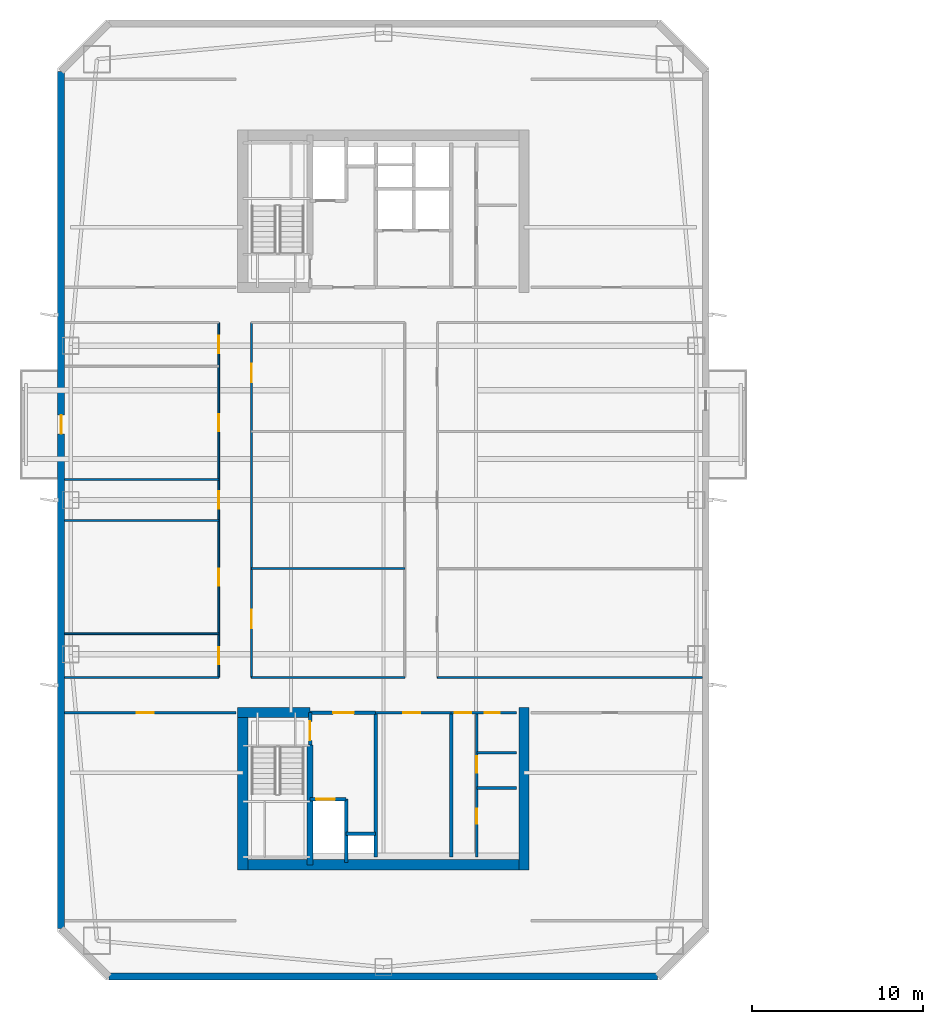
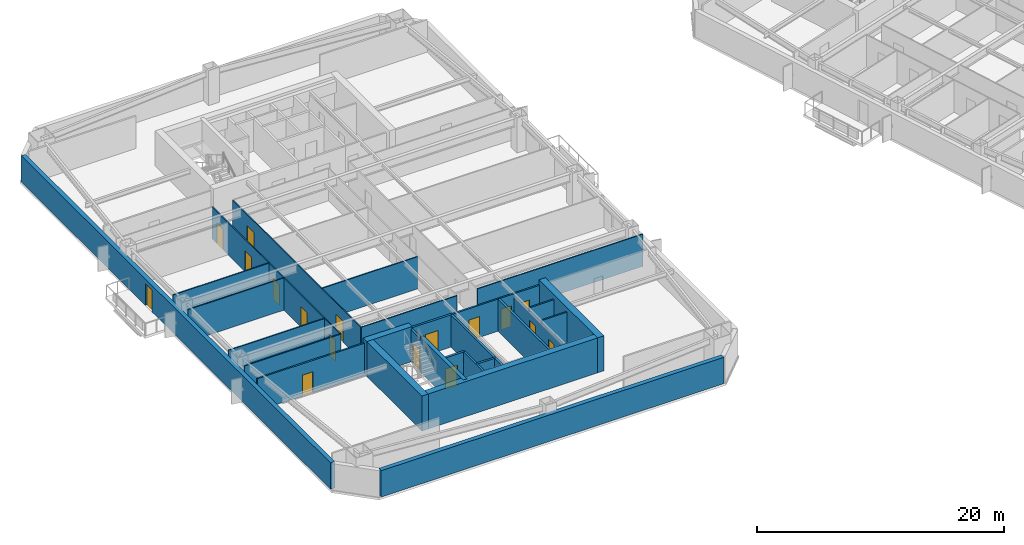
# One storey, part 5 of 17: 29 walls, 17 doors, 17 openings.
"""IFC4 building model written with IfcOpenShell, lengths in metres."""

from ifc_helpers import new_model, si_unit, direction, frame, frame_2d, origin, place, context, subcontext, project, spatial, rectangle, extrude, material, layer, layer_set, type_object, element, fill, save


model = new_model("IFC4")

# Units and contexts
model_context = context("Model", 3, precision=1e-05, world=origin(), true_north=direction((0.0, 1.0)))
body_context = subcontext(model_context, "Body", "Model", "MODEL_VIEW")
ifc_project = project(units=[si_unit("LENGTHUNIT", "METRE"), si_unit("AREAUNIT", "SQUARE_METRE"), si_unit("VOLUMEUNIT", "CUBIC_METRE"), si_unit("PLANEANGLEUNIT", "RADIAN"), si_unit("MASSUNIT", "GRAM", prefix="KILO")], contexts=[model_context])

# Site, building, storey
site_placement = place(None, origin())
site = spatial("IfcSite", under=ifc_project, at=site_placement, CompositionType="ELEMENT")
building_placement = place(site_placement, origin())
building = spatial("IfcBuilding", under=site, at=building_placement, Name="Qiaolan Cultural Towers", CompositionType="ELEMENT")
storey_placement = place(building_placement, frame((0.0, 0.0, 142.60009765625)))
storey = spatial("IfcBuildingStorey", under=building, at=storey_placement, Name="L37", CompositionType="ELEMENT", Elevation=142.60009765625)

# Walls
ifc_material_1 = material(Name="Concrete C50", Category="concrete")
ifc_layer_1 = layer(ifc_material_1, 0.35009765625)
ifc_layer_set_1 = layer_set([ifc_layer_1], Name="Concrete C50")
wall_type_1 = type_object("IfcWallType", Name="WL-CORE-350", PredefinedType="SHEAR", material=ifc_layer_set_1)
wall_1_placement = place(storey_placement, frame((25.719970703125, 19.699951171875, 0.0), z_axis=(0.0, 0.0, 1.0), x_axis=(0.0, -1.0, 0.0)))
element("IfcWall", 1, at=wall_1_placement, inside=storey, type_object=wall_type_1, Name="L37 T1-CS Stair Core Dividing Web", PredefinedType="SHEAR", context=body_context, shape_type="SweptSolid", body=[
    extrude(rectangle(XDim=6.97998046875, YDim=0.35009765625, at=frame_2d((3.489990234375, 0.0))), origin(), (0.0, 0.0, 1.0), 3.449951171875),
])
ifc_material_2 = material(Name="Concrete C55", Category="concrete")
ifc_layer_2 = layer(ifc_material_2, 0.60009765625)
ifc_layer_set_2 = layer_set([ifc_layer_2], Name="Concrete C55")
wall_type_2 = type_object("IfcWallType", Name="WL-CORE-600", PredefinedType="SHEAR", material=ifc_layer_set_2)
wall_2_placement = place(storey_placement, frame((21.5, 12.719970703125, 0.0), z_axis=(0.0, 0.0, 1.0), x_axis=(1.0, 0.0, 0.0)))
element("IfcWall", 2, at=wall_2_placement, inside=storey, type_object=wall_type_2, Name="L37 T1-CS Outer Core Shear Wall", PredefinedType="SHEAR", context=body_context, shape_type="SweptSolid", body=[
    extrude(rectangle(XDim=17.0, YDim=0.60009765625, at=frame_2d((8.5, 0.0))), origin(), (0.0, 0.0, 1.0), 3.449951171875),
])
for number, where, z_axis, x_axis, name in (
    (3, (21.800048828125, 21.89990234375, 0.0), (0.0, 0.0, 1.0), (0.0, -1.0, 0.0), "L37 T1-CS West Core Shear Wall"),
    (4, (38.199951171875, 21.89990234375, 0.0), (0.0, 0.0, 1.0), (0.0, -1.0, 0.0), "L37 T1-CS East Core Shear Wall"),
):
    element("IfcWall", number, at=place(storey_placement, frame(where, z_axis=z_axis, x_axis=x_axis)), inside=storey, type_object=wall_type_2, Name=name, PredefinedType="SHEAR", context=body_context, shape_type="SweptSolid", body=[
        extrude(rectangle(XDim=9.47998046875, YDim=0.60009765625, at=frame_2d((4.739990234375, 0.0))), origin(), (0.0, 0.0, 1.0), 3.449951171875),
    ])
wall_3_placement = place(storey_placement, frame((21.5, 21.60009765625, 0.0), z_axis=(0.0, 0.0, 1.0), x_axis=(1.0, 0.0, 0.0)))
element("IfcWall", 5, at=wall_3_placement, inside=storey, type_object=wall_type_2, Name="L37 T1-CS Stair Front Shear Wall", PredefinedType="SHEAR", context=body_context, shape_type="SweptSolid", body=[
    extrude(rectangle(XDim=4.219970703125, YDim=0.60009765625, at=frame_2d((2.10986328125, 0.0))), origin(), (0.0, 0.0, 1.0), 3.449951171875),
])

# Wall, opening, door
ifc_material_3 = material(Name="Precast Concrete C50 Honed Stone Pier", Category="masonry")
ifc_layer_3 = layer(ifc_material_3, 0.39990234375)
ifc_layer_set_3 = layer_set([ifc_layer_3], Name="Precast Concrete C50 Honed Stone Pier")
wall_type_3 = type_object("IfcWallType", Name="WL-EXT-PIER-400", PredefinedType="SOLIDWALL", material=ifc_layer_set_3)
wall_4_placement = place(storey_placement, frame((11.199951171875, 9.0, 0.0), z_axis=(0.0, 0.0, 1.0), x_axis=(0.0, 1.0, 0.0)))
wall_4 = element("IfcWall", 6, at=wall_4_placement, inside=storey, type_object=wall_type_3, Name="L37 West Tower Precast Pier Facade Wall F1", PredefinedType="SOLIDWALL", context=body_context, shape_type="SweptSolid", body=[
    extrude(rectangle(XDim=50.0, YDim=0.39990234375, at=frame_2d((25.0, 0.0))), origin(), (0.0, 0.0, 1.0), 2.60986328125),
])
opening_1_placement = place(wall_4_placement, frame((28.85009765625, 0.0, 0.0)))
opening_1 = element("IfcOpeningElement", 7, at=opening_1_placement, cuts=wall_4, Name="Opening BD-01", PredefinedType="OPENING", context=body_context, shape_type="SweptSolid", body=[
    extrude(rectangle(XDim=1.10009765625, YDim=2.14990234375, at=frame_2d((0.550048828125, 1.074951171875))), frame((0.0, 0.2099609375, 0.0), z_axis=(0.0, -1.0, 0.0), x_axis=(1.0, 0.0, 0.0)), (0.0, 0.0, 1.0), 0.419921875),
])
ifc_material_4 = material(Name="Thermally Broken Aluminium Glazed Terrace Door", Category="aluminium")
door_type_1 = type_object("IfcDoorType", Name="DR-BAL-1100", OperationType="NOTDEFINED", PredefinedType="DOOR", material=ifc_material_4)
door_1_placement = place(opening_1_placement, origin())
door_1 = element("IfcDoor", 8, at=door_1_placement, inside=storey, type_object=door_type_1, Name="L37 T1 West Tree Balcony Door", OperationType="SINGLE_SWING_LEFT", OverallHeight=2.14990234375, OverallWidth=1.10009765625, PredefinedType="DOOR", context=body_context, shape_type="SweptSolid", body=[
    extrude(rectangle(XDim=1.10009765625, YDim=2.14990234375, at=frame_2d((0.550048828125, 1.074951171875))), frame((0.0, 0.02490234375, 0.0), z_axis=(0.0, -1.0, 0.0), x_axis=(1.0, 0.0, 0.0)), (0.0, 0.0, 1.0), 0.050048828125),
])
fill(opening_1, door_1)

# Wall
wall_5_placement = place(storey_placement, frame((46.0, 6.199951171875, 0.0), z_axis=(0.0, 0.0, 1.0), x_axis=(-1.0, 0.0, 0.0)))
element("IfcWall", 9, at=wall_5_placement, inside=storey, type_object=wall_type_3, Name="L37 West Tower Precast Pier Facade Wall F7", PredefinedType="SOLIDWALL", context=body_context, shape_type="SweptSolid", body=[
    extrude(rectangle(XDim=32.0, YDim=0.39990234375, at=frame_2d((16.0, 0.0))), origin(), (0.0, 0.0, 1.0), 2.60986328125),
])

# Wall, opening, door
ifc_material_5 = material(Name="Concrete C35 Fire Wall", Category="concrete")
ifc_layer_4 = layer(ifc_material_5, 0.199951171875)
ifc_layer_set_4 = layer_set([ifc_layer_4], Name="Concrete C35 Fire Wall")
wall_type_4 = type_object("IfcWallType", Name="WL-FIRE-200", PredefinedType="PARTITIONING", material=ifc_layer_set_4)
wall_6_placement = place(storey_placement, frame((25.719970703125, 21.60009765625, 0.0), z_axis=(0.0, 0.0, 1.0), x_axis=(0.0, -1.0, 0.0)))
wall_6 = element("IfcWall", 10, at=wall_6_placement, inside=storey, type_object=wall_type_4, Name="L37 T1-CS Smokeproof Stair Entry Wall", PredefinedType="PARTITIONING", context=body_context, shape_type="SweptSolid", body=[
    extrude(rectangle(XDim=1.900146484375, YDim=0.199951171875, at=frame_2d((0.9501953125, 0.0))), origin(), (0.0, 0.0, 1.0), 3.1748046875),
])
opening_2_placement = place(wall_6_placement, frame((0.52001953125, 0.0, 0.0)))
opening_2 = element("IfcOpeningElement", 11, at=opening_2_placement, cuts=wall_6, Name="Opening FD-04", PredefinedType="OPENING", context=body_context, shape_type="SweptSolid", body=[
    extrude(rectangle(XDim=1.10009765625, YDim=2.050048828125, at=frame_2d((0.550048828125, 1.02490234375))), frame((0.0, 0.10986328125, 0.0), z_axis=(0.0, -1.0, 0.0), x_axis=(1.0, 0.0, 0.0)), (0.0, 0.0, 1.0), 0.219970703125),
])
ifc_material_6 = material(Name="Galvanized Steel Command Fire Door", Category="steel")
door_type_2 = type_object("IfcDoorType", Name="DR-FD90-1100", OperationType="NOTDEFINED", PredefinedType="DOOR", material=ifc_material_6)
door_2_placement = place(opening_2_placement, origin())
door_2 = element("IfcDoor", 12, at=door_2_placement, inside=storey, type_object=door_type_2, Name="L37 ST-W1 Smokeproof Stair Fire Door", OperationType="SINGLE_SWING_LEFT", OverallHeight=2.050048828125, OverallWidth=1.10009765625, PredefinedType="DOOR", context=body_context, shape_type="SweptSolid", body=[
    extrude(rectangle(XDim=1.10009765625, YDim=2.050048828125, at=frame_2d((0.550048828125, 1.02490234375))), frame((0.0, 0.02490234375, 0.0), z_axis=(0.0, -1.0, 0.0), x_axis=(1.0, 0.0, 0.0)), (0.0, 0.0, 1.0), 0.050048828125),
])
fill(opening_2, door_2)

# Wall
wall_7_placement = place(storey_placement, frame((29.550048828125, 21.60009765625, 0.0), z_axis=(0.0, 0.0, 1.0), x_axis=(0.0, -1.0, 0.0)))
element("IfcWall", 13, at=wall_7_placement, inside=storey, type_object=wall_type_4, Name="L37 T1-CS Firefighting Zone Wall", PredefinedType="PARTITIONING", context=body_context, shape_type="SweptSolid", body=[
    extrude(rectangle(XDim=8.43017578125, YDim=0.199951171875, at=frame_2d((4.215087890625, 0.0))), origin(), (0.0, 0.0, 1.0), 3.1748046875),
])

# Wall, opening, door
wall_8_placement = place(storey_placement, frame((25.719970703125, 21.60009765625, 0.0), z_axis=(0.0, 0.0, 1.0), x_axis=(1.0, 0.0, 0.0)))
wall_8 = element("IfcWall", 14, at=wall_8_placement, inside=storey, type_object=wall_type_4, Name="L37 T1-CS Firefighting Lobby Front Wall", PredefinedType="PARTITIONING", context=body_context, shape_type="SweptSolid", body=[
    extrude(rectangle(XDim=3.830078125, YDim=0.199951171875, at=frame_2d((1.9150390625, 0.0))), origin(), (0.0, 0.0, 1.0), 3.1748046875),
])
opening_3_placement = place(wall_8_placement, frame((1.35009765625, 0.0, 0.0)))
opening_3 = element("IfcOpeningElement", 15, at=opening_3_placement, cuts=wall_8, Name="Opening FD-03", PredefinedType="OPENING", context=body_context, shape_type="SweptSolid", body=[
    extrude(rectangle(XDim=1.199951171875, YDim=2.050048828125, at=frame_2d((0.60009765625, 1.02490234375))), frame((0.0, 0.10986328125, 0.0), z_axis=(0.0, -1.0, 0.0), x_axis=(1.0, 0.0, 0.0)), (0.0, 0.0, 1.0), 0.219970703125),
])
ifc_material_7 = material(Name="Galvanized Steel Smokeproof Lobby Fire Door", Category="steel")
door_type_3 = type_object("IfcDoorType", Name="DR-FD90-1200", OperationType="NOTDEFINED", PredefinedType="DOOR", material=ifc_material_7)
door_3_placement = place(opening_3_placement, origin())
door_3 = element("IfcDoor", 16, at=door_3_placement, inside=storey, type_object=door_type_3, Name="L37 FFL-W1 Firefighting Lobby Fire Door", OperationType="SINGLE_SWING_LEFT", OverallHeight=2.050048828125, OverallWidth=1.199951171875, PredefinedType="DOOR", context=body_context, shape_type="SweptSolid", body=[
    extrude(rectangle(XDim=1.199951171875, YDim=2.050048828125, at=frame_2d((0.60009765625, 1.02490234375))), frame((0.0, 0.02490234375, 0.0), z_axis=(0.0, -1.0, 0.0), x_axis=(1.0, 0.0, 0.0)), (0.0, 0.0, 1.0), 0.050048828125),
])
fill(opening_3, door_3)

wall_9_placement = place(storey_placement, frame((25.719970703125, 16.550048828125, 0.0), z_axis=(0.0, 0.0, 1.0), x_axis=(1.0, 0.0, 0.0)))
wall_9 = element("IfcWall", 17, at=wall_9_placement, inside=storey, type_object=wall_type_4, Name="L37 T1-CS Firefighting Shaft Front Wall", PredefinedType="PARTITIONING", context=body_context, shape_type="SweptSolid", body=[
    extrude(rectangle(XDim=2.10009765625, YDim=0.199951171875, at=frame_2d((1.050048828125, 0.0))), origin(), (0.0, 0.0, 1.0), 3.1748046875),
])
opening_4_placement = place(wall_9_placement, frame((0.35009765625, 0.0, 0.0)))
opening_4 = element("IfcOpeningElement", 18, at=opening_4_placement, cuts=wall_9, Name="Opening LD-01", PredefinedType="OPENING", context=body_context, shape_type="SweptSolid", body=[
    extrude(rectangle(XDim=1.10009765625, YDim=2.050048828125, at=frame_2d((0.550048828125, 1.02490234375))), frame((0.0, 0.10986328125, 0.0), z_axis=(0.0, -1.0, 0.0), x_axis=(1.0, 0.0, 0.0)), (0.0, 0.0, 1.0), 0.219970703125),
])
ifc_material_8 = material(Name="Brushed Stainless Steel S30408 Centre-Parting Lift Landing Door", Category="steel")
door_type_4 = type_object("IfcDoorType", Name="DR-LIFT-1100", OperationType="NOTDEFINED", PredefinedType="DOOR", material=ifc_material_8)
door_4_placement = place(opening_4_placement, origin())
door_4 = element("IfcDoor", 19, at=door_4_placement, inside=storey, type_object=door_type_4, Name="L37 FFL-W1 Firefighting Lift Landing Door", OperationType="DOUBLE_DOOR_SLIDING", OverallHeight=2.050048828125, OverallWidth=1.10009765625, PredefinedType="DOOR", context=body_context, shape_type="SweptSolid", body=[
    extrude(rectangle(XDim=1.10009765625, YDim=2.050048828125, at=frame_2d((0.550048828125, 1.02490234375))), frame((0.0, 0.02490234375, 0.0), z_axis=(0.0, -1.0, 0.0), x_axis=(1.0, 0.0, 0.0)), (0.0, 0.0, 1.0), 0.050048828125),
])
fill(opening_4, door_4)

# Walls
wall_10_placement = place(storey_placement, frame((27.820068359375, 16.550048828125, 0.0), z_axis=(0.0, 0.0, 1.0), x_axis=(0.0, -1.0, 0.0)))
element("IfcWall", 20, at=wall_10_placement, inside=storey, type_object=wall_type_4, Name="L37 T1-CS Firefighting Hoistway East Wall", PredefinedType="PARTITIONING", context=body_context, shape_type="SweptSolid", body=[
    extrude(rectangle(XDim=3.699951171875, YDim=0.199951171875, at=frame_2d((1.85009765625, 0.0))), origin(), (0.0, 0.0, 1.0), 3.1748046875),
])
wall_11_placement = place(storey_placement, frame((27.820068359375, 14.52001953125, 0.0), z_axis=(0.0, 0.0, 1.0), x_axis=(1.0, 0.0, 0.0)))
element("IfcWall", 21, at=wall_11_placement, inside=storey, type_object=wall_type_4, Name="L37 T1-CS Pressurization Shaft Front Wall", PredefinedType="PARTITIONING", context=body_context, shape_type="SweptSolid", body=[
    extrude(rectangle(XDim=1.72998046875, YDim=0.199951171875, at=frame_2d((0.864990234375, 0.0))), origin(), (0.0, 0.0, 1.0), 3.1748046875),
])
wall_12_placement = place(storey_placement, frame((33.949951171875, 21.60009765625, 0.0), z_axis=(0.0, 0.0, 1.0), x_axis=(0.0, -1.0, 0.0)))
element("IfcWall", 22, at=wall_12_placement, inside=storey, type_object=wall_type_4, Name="L37 T1-CS Lift Core East Wall", PredefinedType="PARTITIONING", context=body_context, shape_type="SweptSolid", body=[
    extrude(rectangle(XDim=8.43017578125, YDim=0.199951171875, at=frame_2d((4.215087890625, 0.0))), origin(), (0.0, 0.0, 1.0), 3.1748046875),
])
ifc_material_9 = material(Name="Acoustic Double-Glazed Partition Frame", Category="glass")
ifc_layer_5 = layer(ifc_material_9, 0.10009765625)
ifc_layer_set_5 = layer_set([ifc_layer_5], Name="Acoustic Double-Glazed Partition Frame")
wall_type_5 = type_object("IfcWallType", Name="WL-GLAZED-100", PredefinedType="MOVABLE", material=ifc_layer_set_5)
wall_13_placement = place(storey_placement, frame((11.39990234375, 23.64990234375, 0.0), z_axis=(0.0, 0.0, 1.0), x_axis=(1.0, 0.0, 0.0)))
element("IfcWall", 23, at=wall_13_placement, inside=storey, type_object=wall_type_5, Name="L37 T1 Interior Wall", PredefinedType="MOVABLE", context=body_context, shape_type="SweptSolid", body=[
    extrude(rectangle(XDim=9.0, YDim=0.10009765625, at=frame_2d((4.5, 0.0))), origin(), (0.0, 0.0, 1.0), 3.1748046875),
])
wall_14_placement = place(storey_placement, frame((22.300048828125, 23.64990234375, 0.0), z_axis=(0.0, 0.0, 1.0), x_axis=(1.0, 0.0, 0.0)))
element("IfcWall", 24, at=wall_14_placement, inside=storey, type_object=wall_type_5, Name="L37 T1 Interior Wall", PredefinedType="MOVABLE", context=body_context, shape_type="SweptSolid", body=[
    extrude(rectangle(XDim=8.949951171875, YDim=0.10009765625, at=frame_2d((4.47509765625, 0.0))), origin(), (0.0, 0.0, 1.0), 3.1748046875),
])
wall_15_placement = place(storey_placement, frame((33.14990234375, 23.64990234375, 0.0), z_axis=(0.0, 0.0, 1.0), x_axis=(1.0, 0.0, 0.0)))
element("IfcWall", 25, at=wall_15_placement, inside=storey, type_object=wall_type_5, Name="L37 T1 Interior Wall", PredefinedType="MOVABLE", context=body_context, shape_type="SweptSolid", body=[
    extrude(rectangle(XDim=15.4501953125, YDim=0.10009765625, at=frame_2d((7.72509765625, 0.0))), origin(), (0.0, 0.0, 1.0), 3.1748046875),
])

# Wall, openings, doors
wall_16_placement = place(storey_placement, frame((20.39990234375, 23.64990234375, 0.0), z_axis=(0.0, 0.0, 1.0), x_axis=(0.0, 1.0, 0.0)))
wall_16 = element("IfcWall", 26, at=wall_16_placement, inside=storey, type_object=wall_type_5, Name="L37 T1 Interior Wall", PredefinedType="MOVABLE", context=body_context, shape_type="SweptSolid", body=[
    extrude(rectangle(XDim=20.7001953125, YDim=0.10009765625, at=frame_2d((10.35009765625, 0.0))), origin(), (0.0, 0.0, 1.0), 3.1748046875),
])
opening_5_placement = place(wall_16_placement, frame((0.77490234375, 0.0, 0.0)))
opening_5 = element("IfcOpeningElement", 27, at=opening_5_placement, cuts=wall_16, Name="Opening ID-04", PredefinedType="OPENING", context=body_context, shape_type="SweptSolid", body=[
    extrude(rectangle(XDim=1.0, YDim=2.050048828125, at=frame_2d((0.5, 1.02490234375))), frame((0.0, 0.06005859375, 0.0), z_axis=(0.0, -1.0, 0.0), x_axis=(1.0, 0.0, 0.0)), (0.0, 0.0, 1.0), 0.1201171875),
])
opening_6_placement = place(wall_16_placement, frame((5.35009765625, 0.0, 0.0)))
opening_6 = element("IfcOpeningElement", 28, at=opening_6_placement, cuts=wall_16, Name="Opening ID-04", PredefinedType="OPENING", context=body_context, shape_type="SweptSolid", body=[
    extrude(rectangle(XDim=1.0, YDim=2.050048828125, at=frame_2d((0.5, 1.02490234375))), frame((0.0, 0.06005859375, 0.0), z_axis=(0.0, -1.0, 0.0), x_axis=(1.0, 0.0, 0.0)), (0.0, 0.0, 1.0), 0.1201171875),
])
opening_7_placement = place(wall_16_placement, frame((9.85009765625, 0.0, 0.0)))
opening_7 = element("IfcOpeningElement", 29, at=opening_7_placement, cuts=wall_16, Name="Opening ID-04", PredefinedType="OPENING", context=body_context, shape_type="SweptSolid", body=[
    extrude(rectangle(XDim=1.0, YDim=2.050048828125, at=frame_2d((0.5, 1.02490234375))), frame((0.0, 0.06005859375, 0.0), z_axis=(0.0, -1.0, 0.0), x_axis=(1.0, 0.0, 0.0)), (0.0, 0.0, 1.0), 0.1201171875),
])
opening_8_placement = place(wall_16_placement, frame((14.35009765625, 0.0, 0.0)))
opening_8 = element("IfcOpeningElement", 30, at=opening_8_placement, cuts=wall_16, Name="Opening ID-04", PredefinedType="OPENING", context=body_context, shape_type="SweptSolid", body=[
    extrude(rectangle(XDim=1.0, YDim=2.050048828125, at=frame_2d((0.5, 1.02490234375))), frame((0.0, 0.06005859375, 0.0), z_axis=(0.0, -1.0, 0.0), x_axis=(1.0, 0.0, 0.0)), (0.0, 0.0, 1.0), 0.1201171875),
])
opening_9_placement = place(wall_16_placement, frame((18.925048828125, 0.0, 0.0)))
opening_9 = element("IfcOpeningElement", 31, at=opening_9_placement, cuts=wall_16, Name="Opening ID-04", PredefinedType="OPENING", context=body_context, shape_type="SweptSolid", body=[
    extrude(rectangle(XDim=1.0, YDim=2.050048828125, at=frame_2d((0.5, 1.02490234375))), frame((0.0, 0.06005859375, 0.0), z_axis=(0.0, -1.0, 0.0), x_axis=(1.0, 0.0, 0.0)), (0.0, 0.0, 1.0), 0.1201171875),
])
ifc_material_10 = material(Name="Oak Veneer Acoustic Office Door", Category="timber")
door_type_5 = type_object("IfcDoorType", Name="DR-INT-1000", OperationType="NOTDEFINED", PredefinedType="DOOR", material=ifc_material_10)
door_5_placement = place(opening_5_placement, origin())
door_5 = element("IfcDoor", 32, at=door_5_placement, inside=storey, type_object=door_type_5, Name="L37 T1 Civic Planning Office Door", OperationType="SINGLE_SWING_LEFT", OverallHeight=2.050048828125, OverallWidth=1.0, PredefinedType="DOOR", context=body_context, shape_type="SweptSolid", body=[
    extrude(rectangle(XDim=1.0, YDim=2.050048828125, at=frame_2d((0.5, 1.02490234375))), frame((0.0, 0.02490234375, 0.0), z_axis=(0.0, -1.0, 0.0), x_axis=(1.0, 0.0, 0.0)), (0.0, 0.0, 1.0), 0.050048828125),
])
fill(opening_5, door_5)
door_6_placement = place(opening_6_placement, origin())
door_6 = element("IfcDoor", 33, at=door_6_placement, inside=storey, type_object=door_type_5, Name="L37 T1 Civic Planning Office Door", OperationType="SINGLE_SWING_RIGHT", OverallHeight=2.050048828125, OverallWidth=1.0, PredefinedType="DOOR", context=body_context, shape_type="SweptSolid", body=[
    extrude(rectangle(XDim=1.0, YDim=2.050048828125, at=frame_2d((0.5, 1.02490234375))), frame((0.0, 0.02490234375, 0.0), z_axis=(0.0, -1.0, 0.0), x_axis=(1.0, 0.0, 0.0)), (0.0, 0.0, 1.0), 0.050048828125),
])
fill(opening_6, door_6)
door_7_placement = place(opening_7_placement, origin())
door_7 = element("IfcDoor", 34, at=door_7_placement, inside=storey, type_object=door_type_5, Name="L37 T1 Design Review Room Door", OperationType="SINGLE_SWING_LEFT", OverallHeight=2.050048828125, OverallWidth=1.0, PredefinedType="DOOR", context=body_context, shape_type="SweptSolid", body=[
    extrude(rectangle(XDim=1.0, YDim=2.050048828125, at=frame_2d((0.5, 1.02490234375))), frame((0.0, 0.02490234375, 0.0), z_axis=(0.0, -1.0, 0.0), x_axis=(1.0, 0.0, 0.0)), (0.0, 0.0, 1.0), 0.050048828125),
])
fill(opening_7, door_7)
door_8_placement = place(opening_8_placement, origin())
door_8 = element("IfcDoor", 35, at=door_8_placement, inside=storey, type_object=door_type_5, Name="L37 T1 Design Review Room Door", OperationType="SINGLE_SWING_RIGHT", OverallHeight=2.050048828125, OverallWidth=1.0, PredefinedType="DOOR", context=body_context, shape_type="SweptSolid", body=[
    extrude(rectangle(XDim=1.0, YDim=2.050048828125, at=frame_2d((0.5, 1.02490234375))), frame((0.0, 0.02490234375, 0.0), z_axis=(0.0, -1.0, 0.0), x_axis=(1.0, 0.0, 0.0)), (0.0, 0.0, 1.0), 0.050048828125),
])
fill(opening_8, door_8)
door_9_placement = place(opening_9_placement, origin())
door_9 = element("IfcDoor", 36, at=door_9_placement, inside=storey, type_object=door_type_5, Name="L37 T1 Pantry Door", OperationType="SINGLE_SWING_LEFT", OverallHeight=2.050048828125, OverallWidth=1.0, PredefinedType="DOOR", context=body_context, shape_type="SweptSolid", body=[
    extrude(rectangle(XDim=1.0, YDim=2.050048828125, at=frame_2d((0.5, 1.02490234375))), frame((0.0, 0.02490234375, 0.0), z_axis=(0.0, -1.0, 0.0), x_axis=(1.0, 0.0, 0.0)), (0.0, 0.0, 1.0), 0.050048828125),
])
fill(opening_9, door_9)

wall_17_placement = place(storey_placement, frame((22.300048828125, 23.64990234375, 0.0), z_axis=(0.0, 0.0, 1.0), x_axis=(0.0, 1.0, 0.0)))
wall_17 = element("IfcWall", 37, at=wall_17_placement, inside=storey, type_object=wall_type_5, Name="L37 T1 Interior Wall", PredefinedType="MOVABLE", context=body_context, shape_type="SweptSolid", body=[
    extrude(rectangle(XDim=20.7001953125, YDim=0.10009765625, at=frame_2d((10.35009765625, 0.0))), origin(), (0.0, 0.0, 1.0), 3.1748046875),
])
opening_10_placement = place(wall_17_placement, frame((2.857421875, 0.0, 0.0)))
opening_10 = element("IfcOpeningElement", 38, at=opening_10_placement, cuts=wall_17, Name="Opening ID-03", PredefinedType="OPENING", context=body_context, shape_type="SweptSolid", body=[
    extrude(rectangle(XDim=1.10009765625, YDim=2.050048828125, at=frame_2d((0.550048828125, 1.02490234375))), frame((0.0, 0.06005859375, 0.0), z_axis=(0.0, -1.0, 0.0), x_axis=(1.0, 0.0, 0.0)), (0.0, 0.0, 1.0), 0.1201171875),
])
opening_11_placement = place(wall_17_placement, frame((17.20751953125, 0.0, 0.0)))
opening_11 = element("IfcOpeningElement", 39, at=opening_11_placement, cuts=wall_17, Name="Opening ID-03", PredefinedType="OPENING", context=body_context, shape_type="SweptSolid", body=[
    extrude(rectangle(XDim=1.10009765625, YDim=2.050048828125, at=frame_2d((0.550048828125, 1.02490234375))), frame((0.0, 0.06005859375, 0.0), z_axis=(0.0, -1.0, 0.0), x_axis=(1.0, 0.0, 0.0)), (0.0, 0.0, 1.0), 0.1201171875),
])
ifc_material_11 = material(Name="Oak Veneer Solid-Core Boardroom Door", Category="timber")
door_type_6 = type_object("IfcDoorType", Name="DR-INT-1100", OperationType="NOTDEFINED", PredefinedType="DOOR", material=ifc_material_11)
door_10_placement = place(opening_10_placement, origin())
door_10 = element("IfcDoor", 40, at=door_10_placement, inside=storey, type_object=door_type_6, Name="L37 T1 Central Boardroom Door", OperationType="SINGLE_SWING_LEFT", OverallHeight=2.050048828125, OverallWidth=1.10009765625, PredefinedType="DOOR", context=body_context, shape_type="SweptSolid", body=[
    extrude(rectangle(XDim=1.10009765625, YDim=2.050048828125, at=frame_2d((0.550048828125, 1.02490234375))), frame((0.0, 0.02490234375, 0.0), z_axis=(0.0, -1.0, 0.0), x_axis=(1.0, 0.0, 0.0)), (0.0, 0.0, 1.0), 0.050048828125),
])
fill(opening_10, door_10)
door_11_placement = place(opening_11_placement, origin())
door_11 = element("IfcDoor", 41, at=door_11_placement, inside=storey, type_object=door_type_6, Name="L37 T1 Central Archive Room Door", OperationType="SINGLE_SWING_RIGHT", OverallHeight=2.050048828125, OverallWidth=1.10009765625, PredefinedType="DOOR", context=body_context, shape_type="SweptSolid", body=[
    extrude(rectangle(XDim=1.10009765625, YDim=2.050048828125, at=frame_2d((0.550048828125, 1.02490234375))), frame((0.0, 0.02490234375, 0.0), z_axis=(0.0, -1.0, 0.0), x_axis=(1.0, 0.0, 0.0)), (0.0, 0.0, 1.0), 0.050048828125),
])
fill(opening_11, door_11)

# Walls
wall_18_placement = place(storey_placement, frame((22.300048828125, 30.0, 0.0), z_axis=(0.0, 0.0, 1.0), x_axis=(1.0, 0.0, 0.0)))
element("IfcWall", 42, at=wall_18_placement, inside=storey, type_object=wall_type_5, Name="L37 T1 Interior Wall", PredefinedType="MOVABLE", context=body_context, shape_type="SweptSolid", body=[
    extrude(rectangle(XDim=8.949951171875, YDim=0.10009765625, at=frame_2d((4.47509765625, 0.0))), origin(), (0.0, 0.0, 1.0), 3.1748046875),
])
for number, where, z_axis, x_axis, name in (
    (43, (11.39990234375, 26.199951171875, 0.0), (0.0, 0.0, 1.0), (1.0, 0.0, 0.0), "L37 T1 Interior Wall"),
    (44, (11.39990234375, 32.800048828125, 0.0), (0.0, 0.0, 1.0), (1.0, 0.0, 0.0), "L37 T1 Interior Wall"),
    (45, (11.39990234375, 35.199951171875, 0.0), (0.0, 0.0, 1.0), (1.0, 0.0, 0.0), "L37 T1 Interior Wall"),
):
    element("IfcWall", number, at=place(storey_placement, frame(where, z_axis=z_axis, x_axis=x_axis)), inside=storey, type_object=wall_type_5, Name=name, PredefinedType="MOVABLE", context=body_context, shape_type="SweptSolid", body=[
        extrude(rectangle(XDim=9.0, YDim=0.10009765625, at=frame_2d((4.5, 0.0))), origin(), (0.0, 0.0, 1.0), 3.1748046875),
    ])

# Wall, opening, door
ifc_material_12 = material(Name="Autoclaved Aerated Concrete Block B06", Category="concrete")
ifc_layer_6 = layer(ifc_material_12, 0.14990234375)
ifc_layer_set_6 = layer_set([ifc_layer_6], Name="Autoclaved Aerated Concrete Block B06")
wall_type_6 = type_object("IfcWallType", Name="WL-PART-150", PredefinedType="PARTITIONING", material=ifc_layer_set_6)
wall_19_placement = place(storey_placement, frame((29.550048828125, 21.60009765625, 0.0), z_axis=(0.0, 0.0, 1.0), x_axis=(1.0, 0.0, 0.0)))
wall_19 = element("IfcWall", 46, at=wall_19_placement, inside=storey, type_object=wall_type_6, Name="L37 T1-CS Reclaimed Core Room Front Wall", PredefinedType="PARTITIONING", context=body_context, shape_type="SweptSolid", body=[
    extrude(rectangle(XDim=4.39990234375, YDim=0.14990234375, at=frame_2d((2.199951171875, 0.0))), origin(), (0.0, 0.0, 1.0), 3.1748046875),
])
opening_12_placement = place(wall_19_placement, frame((1.60009765625, 0.0, 0.0)))
opening_12 = element("IfcOpeningElement", 47, at=opening_12_placement, cuts=wall_19, Name="Opening ID-04", PredefinedType="OPENING", context=body_context, shape_type="SweptSolid", body=[
    extrude(rectangle(XDim=1.0, YDim=2.050048828125, at=frame_2d((0.5, 1.02490234375))), frame((0.0, 0.0849609375, 0.0), z_axis=(0.0, -1.0, 0.0), x_axis=(1.0, 0.0, 0.0)), (0.0, 0.0, 1.0), 0.169921875),
])
door_12_placement = place(opening_12_placement, origin())
door_12 = element("IfcDoor", 48, at=door_12_placement, inside=storey, type_object=door_type_5, Name="L37 Reclaimed Archive Room Door", OperationType="SINGLE_SWING_LEFT", OverallHeight=2.050048828125, OverallWidth=1.0, PredefinedType="DOOR", context=body_context, shape_type="SweptSolid", body=[
    extrude(rectangle(XDim=1.0, YDim=2.050048828125, at=frame_2d((0.5, 1.02490234375))), frame((0.0, 0.02490234375, 0.0), z_axis=(0.0, -1.0, 0.0), x_axis=(1.0, 0.0, 0.0)), (0.0, 0.0, 1.0), 0.050048828125),
])
fill(opening_12, door_12)

# Wall, openings, doors
wall_20_placement = place(storey_placement, frame((33.949951171875, 21.60009765625, 0.0), z_axis=(0.0, 0.0, 1.0), x_axis=(1.0, 0.0, 0.0)))
wall_20 = element("IfcWall", 49, at=wall_20_placement, inside=storey, type_object=wall_type_6, Name="L37 T1-CS Sanitary Core Front Wall", PredefinedType="PARTITIONING", context=body_context, shape_type="SweptSolid", body=[
    extrude(rectangle(XDim=3.800048828125, YDim=0.14990234375, at=frame_2d((1.89990234375, 0.0))), origin(), (0.0, 0.0, 1.0), 3.1748046875),
])
opening_13_placement = place(wall_20_placement, frame((0.219970703125, 0.0, 0.0)))
opening_13 = element("IfcOpeningElement", 50, at=opening_13_placement, cuts=wall_20, Name="Opening ID-05", PredefinedType="OPENING", context=body_context, shape_type="SweptSolid", body=[
    extrude(rectangle(XDim=0.949951171875, YDim=2.050048828125, at=frame_2d((0.47509765625, 1.02490234375))), frame((0.0, 0.0849609375, 0.0), z_axis=(0.0, -1.0, 0.0), x_axis=(1.0, 0.0, 0.0)), (0.0, 0.0, 1.0), 0.169921875),
])
opening_14_placement = place(wall_20_placement, frame((1.949951171875, 0.0, 0.0)))
opening_14 = element("IfcOpeningElement", 51, at=opening_14_placement, cuts=wall_20, Name="Opening ID-06", PredefinedType="OPENING", context=body_context, shape_type="SweptSolid", body=[
    extrude(rectangle(XDim=0.89990234375, YDim=2.050048828125, at=frame_2d((0.449951171875, 1.02490234375))), frame((0.0, 0.0849609375, 0.0), z_axis=(0.0, -1.0, 0.0), x_axis=(1.0, 0.0, 0.0)), (0.0, 0.0, 1.0), 0.169921875),
])
ifc_material_13 = material(Name="Fire-Rated Laminate Core Service Door", Category="timber")
door_type_7 = type_object("IfcDoorType", Name="DR-INT-900", OperationType="NOTDEFINED", PredefinedType="DOOR", material=ifc_material_13)
door_13_placement = place(opening_14_placement, origin())
door_13 = element("IfcDoor", 52, at=door_13_placement, inside=storey, type_object=door_type_7, Name="L37 Core Tea Pantry Door", OperationType="SINGLE_SWING_RIGHT", OverallHeight=2.050048828125, OverallWidth=0.89990234375, PredefinedType="DOOR", context=body_context, shape_type="SweptSolid", body=[
    extrude(rectangle(XDim=0.89990234375, YDim=2.050048828125, at=frame_2d((0.449951171875, 1.02490234375))), frame((0.0, 0.02490234375, 0.0), z_axis=(0.0, -1.0, 0.0), x_axis=(1.0, 0.0, 0.0)), (0.0, 0.0, 1.0), 0.050048828125),
])
fill(opening_14, door_13)
ifc_material_14 = material(Name="Fire-Rated Laminate Accessible Core Door", Category="timber")
door_type_8 = type_object("IfcDoorType", Name="DR-INT-950", OperationType="NOTDEFINED", PredefinedType="DOOR", material=ifc_material_14)
door_14_placement = place(opening_13_placement, origin())
door_14 = element("IfcDoor", 53, at=door_14_placement, inside=storey, type_object=door_type_8, Name="L37 Sanitary Passage Door", OperationType="SINGLE_SWING_LEFT", OverallHeight=2.050048828125, OverallWidth=0.949951171875, PredefinedType="DOOR", context=body_context, shape_type="SweptSolid", body=[
    extrude(rectangle(XDim=0.949951171875, YDim=2.050048828125, at=frame_2d((0.47509765625, 1.02490234375))), frame((0.0, 0.02490234375, 0.0), z_axis=(0.0, -1.0, 0.0), x_axis=(1.0, 0.0, 0.0)), (0.0, 0.0, 1.0), 0.050048828125),
])
fill(opening_13, door_14)

wall_21_placement = place(storey_placement, frame((35.449951171875, 21.60009765625, 0.0), z_axis=(0.0, 0.0, 1.0), x_axis=(0.0, -1.0, 0.0)))
wall_21 = element("IfcWall", 54, at=wall_21_placement, inside=storey, type_object=wall_type_6, Name="L37 T1-CS Sanitary Corridor Wall", PredefinedType="PARTITIONING", context=body_context, shape_type="SweptSolid", body=[
    extrude(rectangle(XDim=8.43017578125, YDim=0.14990234375, at=frame_2d((4.215087890625, 0.0))), origin(), (0.0, 0.0, 1.0), 2.81494140625),
])
opening_15_placement = place(wall_21_placement, frame((2.550048828125, 0.0, 0.0)))
opening_15 = element("IfcOpeningElement", 55, at=opening_15_placement, cuts=wall_21, Name="Opening ID-05", PredefinedType="OPENING", context=body_context, shape_type="SweptSolid", body=[
    extrude(rectangle(XDim=0.949951171875, YDim=2.050048828125, at=frame_2d((0.47509765625, 1.02490234375))), frame((0.0, 0.0849609375, 0.0), z_axis=(0.0, -1.0, 0.0), x_axis=(1.0, 0.0, 0.0)), (0.0, 0.0, 1.0), 0.169921875),
])
opening_16_placement = place(wall_21_placement, frame((5.60009765625, 0.0, 0.0)))
opening_16 = element("IfcOpeningElement", 56, at=opening_16_placement, cuts=wall_21, Name="Opening ID-06", PredefinedType="OPENING", context=body_context, shape_type="SweptSolid", body=[
    extrude(rectangle(XDim=0.89990234375, YDim=2.050048828125, at=frame_2d((0.449951171875, 1.02490234375))), frame((0.0, 0.0849609375, 0.0), z_axis=(0.0, -1.0, 0.0), x_axis=(1.0, 0.0, 0.0)), (0.0, 0.0, 1.0), 0.169921875),
])
door_15_placement = place(opening_16_placement, origin())
door_15 = element("IfcDoor", 57, at=door_15_placement, inside=storey, type_object=door_type_7, Name="L37 Staff Restroom Door", OperationType="SINGLE_SWING_RIGHT", OverallHeight=2.050048828125, OverallWidth=0.89990234375, PredefinedType="DOOR", context=body_context, shape_type="SweptSolid", body=[
    extrude(rectangle(XDim=0.89990234375, YDim=2.050048828125, at=frame_2d((0.449951171875, 1.02490234375))), frame((0.0, 0.02490234375, 0.0), z_axis=(0.0, -1.0, 0.0), x_axis=(1.0, 0.0, 0.0)), (0.0, 0.0, 1.0), 0.050048828125),
])
fill(opening_16, door_15)
door_16_placement = place(opening_15_placement, origin())
door_16 = element("IfcDoor", 58, at=door_16_placement, inside=storey, type_object=door_type_8, Name="L37 Accessible Washroom Door", OperationType="SINGLE_SWING_LEFT", OverallHeight=2.050048828125, OverallWidth=0.949951171875, PredefinedType="DOOR", context=body_context, shape_type="SweptSolid", body=[
    extrude(rectangle(XDim=0.949951171875, YDim=2.050048828125, at=frame_2d((0.47509765625, 1.02490234375))), frame((0.0, 0.02490234375, 0.0), z_axis=(0.0, -1.0, 0.0), x_axis=(1.0, 0.0, 0.0)), (0.0, 0.0, 1.0), 0.050048828125),
])
fill(opening_15, door_16)

# Walls
for number, where, z_axis, x_axis, name in (
    (59, (35.449951171875, 17.199951171875, 0.0), (0.0, 0.0, 1.0), (1.0, 0.0, 0.0), "L37 T1-CS Restroom Split Wall"),
    (60, (35.449951171875, 19.25, 0.0), (0.0, 0.0, 1.0), (1.0, 0.0, 0.0), "L37 T1-CS Core Pantry Wall"),
):
    element("IfcWall", number, at=place(storey_placement, frame(where, z_axis=z_axis, x_axis=x_axis)), inside=storey, type_object=wall_type_6, Name=name, PredefinedType="PARTITIONING", context=body_context, shape_type="SweptSolid", body=[
        extrude(rectangle(XDim=2.300048828125, YDim=0.14990234375, at=frame_2d((1.14990234375, 0.0))), origin(), (0.0, 0.0, 1.0), 3.1748046875),
    ])

# Wall, opening, door
wall_22_placement = place(storey_placement, frame((11.39990234375, 21.60009765625, 0.0), z_axis=(0.0, 0.0, 1.0), x_axis=(1.0, 0.0, 0.0)))
wall_22 = element("IfcWall", 61, at=wall_22_placement, inside=storey, type_object=wall_type_6, Name="L37 T1 Flank Front FLK-SW", PredefinedType="PARTITIONING", context=body_context, shape_type="SweptSolid", body=[
    extrude(rectangle(XDim=10.0, YDim=0.14990234375, at=frame_2d((5.0, 0.0))), origin(), (0.0, 0.0, 1.0), 3.1748046875),
])
opening_17_placement = place(wall_22_placement, frame((4.199951171875, 0.0, 0.0)))
opening_17 = element("IfcOpeningElement", 62, at=opening_17_placement, cuts=wall_22, Name="Opening ID-04", PredefinedType="OPENING", context=body_context, shape_type="SweptSolid", body=[
    extrude(rectangle(XDim=1.0, YDim=2.050048828125, at=frame_2d((0.5, 1.02490234375))), frame((0.0, 0.0849609375, 0.0), z_axis=(0.0, -1.0, 0.0), x_axis=(1.0, 0.0, 0.0)), (0.0, 0.0, 1.0), 0.169921875),
])
door_17_placement = place(opening_17_placement, origin())
door_17 = element("IfcDoor", 63, at=door_17_placement, inside=storey, type_object=door_type_5, Name="L37 T1 Corner Studio Door", OperationType="SINGLE_SWING_LEFT", OverallHeight=2.050048828125, OverallWidth=1.0, PredefinedType="DOOR", context=body_context, shape_type="SweptSolid", body=[
    extrude(rectangle(XDim=1.0, YDim=2.050048828125, at=frame_2d((0.5, 1.02490234375))), frame((0.0, 0.02490234375, 0.0), z_axis=(0.0, -1.0, 0.0), x_axis=(1.0, 0.0, 0.0)), (0.0, 0.0, 1.0), 0.050048828125),
])
fill(opening_17, door_17)

save(model, "model.ifc")
